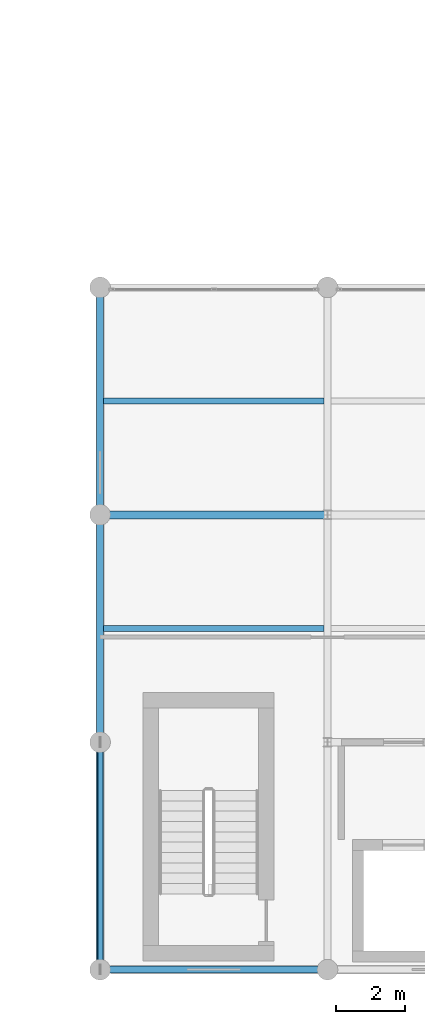
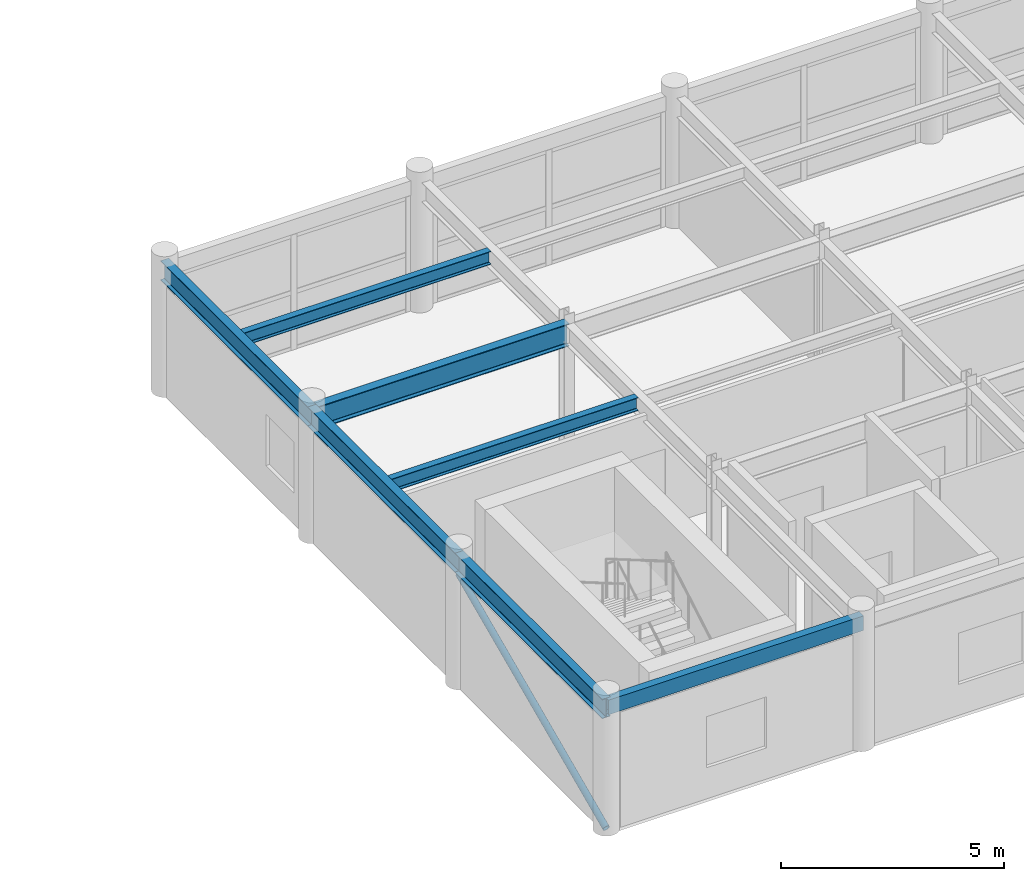
# One storey, part 4 of 28: 7 beams, 1 member.
"""IFC4 building model written with IfcOpenShell, lengths in metres."""

from ifc_helpers import new_model, si_unit, direction, frame, origin, origin_2d, place, context, subcontext, project, spatial, hollow_rectangle, hollow_circle, i_section, extrude, material, material_profile, profile_set, type_object, element, save


model = new_model("IFC4")

# Units and contexts
model_context = context("Model", 3, precision=1e-05, world=origin(), true_north=direction((0.0, 1.0)))
body_context = subcontext(model_context, "Body", "Model", "MODEL_VIEW")
ifc_project = project(units=[si_unit("LENGTHUNIT", "METRE"), si_unit("AREAUNIT", "SQUARE_METRE"), si_unit("VOLUMEUNIT", "CUBIC_METRE"), si_unit("PLANEANGLEUNIT", "RADIAN"), si_unit("MASSUNIT", "GRAM", prefix="KILO")], contexts=[model_context])

# Site, building, storey
site_placement = place(None, origin())
site = spatial("IfcSite", under=ifc_project, at=site_placement, CompositionType="ELEMENT")
building_placement = place(site_placement, origin())
building = spatial("IfcBuilding", under=site, at=building_placement, Name="Karori Crest Natural Sciences Institute", CompositionType="ELEMENT")
storey_placement = place(building_placement, frame((0.0, 0.0, 34.300048828125)))
storey = spatial("IfcBuildingStorey", under=building, at=storey_placement, Name="L08", CompositionType="ELEMENT", Elevation=34.300048828125)

# Beams
ifc_material_1 = material(Name="Structural steel AS/NZS 3679.1 Grade 350", Category="steel")
ifc_material_profile_1 = material_profile(ifc_material_1, i_section(OverallWidth=0.22900390625, OverallDepth=0.612060546875, WebThickness=0.011962890625, FlangeThickness=0.01953125, FilletRadius=0.013916015625, at=origin_2d()), Name="610UB125")
ifc_profile_set_1 = profile_set([ifc_material_profile_1], Name="Structural steel AS/NZS 3679.1 Grade 350")
beam_type_1 = type_object("IfcBeamType", Name="BT-04", PredefinedType="BEAM", material=ifc_profile_set_1)
beam_1_placement = place(storey_placement, frame((103.60009765625, 14.0, 3.263916015625), z_axis=(1.0, 0.0, 0.0), x_axis=(0.0, 1.0, 0.0)))
element("IfcBeam", 1, at=beam_1_placement, inside=storey, type_object=beam_type_1, Name="Beam B-2707", PredefinedType="BEAM", context=body_context, shape_type="SweptSolid", body=[
    extrude(i_section(OverallWidth=0.22900390625, OverallDepth=0.612060546875, WebThickness=0.011962890625, FlangeThickness=0.01953125, FilletRadius=0.013916015625, at=origin_2d()), origin(), (0.0, 0.0, 1.0), 6.599853515625),
])
ifc_material_profile_2 = material_profile(ifc_material_1, i_section(OverallWidth=0.208984375, OverallDepth=0.532958984375, WebThickness=0.01025390625, FlangeThickness=0.015625, FilletRadius=0.013916015625, at=origin_2d()), Name="530UB92.4")
ifc_profile_set_2 = profile_set([ifc_material_profile_2], Name="Structural steel AS/NZS 3679.1 Grade 350")
beam_type_2 = type_object("IfcBeamType", Name="BT-05-EL", PredefinedType="BEAM", material=ifc_profile_set_2)
beam_2_placement = place(storey_placement, frame((103.60009765625, 0.800048828125, 3.303466796875), z_axis=(0.0, 1.0, 0.0), x_axis=(-1.0, 0.0, 0.0)))
element("IfcBeam", 2, at=beam_2_placement, inside=storey, type_object=beam_type_2, Name="Beam B-2721", PredefinedType="BEAM", context=body_context, shape_type="SweptSolid", body=[
    extrude(i_section(OverallWidth=0.208984375, OverallDepth=0.532958984375, WebThickness=0.01025390625, FlangeThickness=0.015625, FilletRadius=0.013916015625, at=origin_2d()), origin(), (0.0, 0.0, 1.0), 6.599853515625),
])
for number, where, z_axis, x_axis, name in (
    (3, (103.60009765625, 7.39990234375, 3.303466796875), (0.0, 1.0, 0.0), (-1.0, 0.0, 0.0), "Beam B-2722"),
    (4, (103.60009765625, 14.0, 3.303466796875), (0.0, 1.0, 0.0), (-1.0, 0.0, 0.0), "Beam B-2723"),
):
    element("IfcBeam", number, at=place(storey_placement, frame(where, z_axis=z_axis, x_axis=x_axis)), inside=storey, type_object=beam_type_2, Name=name, PredefinedType="BEAM", context=body_context, shape_type="SweptSolid", body=[
        extrude(i_section(OverallWidth=0.208984375, OverallDepth=0.532958984375, WebThickness=0.01025390625, FlangeThickness=0.015625, FilletRadius=0.013916015625, at=origin_2d()), origin(), (0.0, 0.0, 1.0), 6.60009765625),
    ])
ifc_material_profile_3 = material_profile(ifc_material_1, i_section(OverallWidth=0.172119140625, OverallDepth=0.35888671875, WebThickness=0.008056640625, FlangeThickness=0.012939453125, FilletRadius=0.010986328125, at=origin_2d()), Name="360UB56.7")
ifc_profile_set_3 = profile_set([ifc_material_profile_3], Name="Structural steel AS/NZS 3679.1 Grade 350")
beam_type_3 = type_object("IfcBeamType", Name="BT-08", PredefinedType="BEAM", material=ifc_profile_set_3)
for number, where, z_axis, x_axis, name in (
    (5, (103.70458984375, 10.699951171875, 3.390380859375), (1.0, 0.0, 0.0), (0.0, 1.0, 0.0), "Beam B-2745"),
    (6, (103.70458984375, 17.300048828125, 3.390380859375), (1.0, 0.0, 0.0), (0.0, 1.0, 0.0), "Beam B-2746"),
):
    element("IfcBeam", number, at=place(storey_placement, frame(where, z_axis=z_axis, x_axis=x_axis)), inside=storey, type_object=beam_type_3, Name=name, PredefinedType="BEAM", context=body_context, shape_type="SweptSolid", body=[
        extrude(i_section(OverallWidth=0.172119140625, OverallDepth=0.35888671875, WebThickness=0.008056640625, FlangeThickness=0.012939453125, FilletRadius=0.010986328125, at=origin_2d()), origin(), (0.0, 0.0, 1.0), 6.390869140625),
    ])
ifc_material_2 = material(Name="Hollow structural steel AS/NZS 1163 Grade C350", Category="steel")
ifc_material_profile_4 = material_profile(ifc_material_2, hollow_rectangle(XDim=0.199951171875, YDim=0.39990234375, WallThickness=0.012451171875, at=origin_2d()), Name="RHS400x200x12.5")
ifc_profile_set_4 = profile_set([ifc_material_profile_4], Name="Hollow structural steel AS/NZS 1163 Grade C350")
beam_type_4 = type_object("IfcBeamType", Name="BT-14", PredefinedType="SPANDREL", material=ifc_profile_set_4)
beam_3_placement = place(storey_placement, frame((103.60009765625, 0.800048828125, 3.369873046875), z_axis=(1.0, 0.0, 0.0), x_axis=(0.0, 1.0, 0.0)))
element("IfcBeam", 7, at=beam_3_placement, inside=storey, type_object=beam_type_4, Name="Beam B-2695", PredefinedType="SPANDREL", context=body_context, shape_type="SweptSolid", body=[
    extrude(hollow_rectangle(XDim=0.199951171875, YDim=0.39990234375, WallThickness=0.012451171875, at=origin_2d()), origin(), (0.0, 0.0, 1.0), 6.599853515625),
])

# Member
ifc_material_profile_5 = material_profile(ifc_material_2, hollow_circle(Radius=0.084228515625, WallThickness=0.007080078125, at=origin_2d()), Name="CHS168.3x7.1")
ifc_profile_set_5 = profile_set([ifc_material_profile_5], Name="Hollow structural steel AS/NZS 1163 Grade C350")
member_type = type_object("IfcMemberType", Name="MT-03", PredefinedType="BRACE", material=ifc_profile_set_5)
member_placement = place(storey_placement, frame((103.60009765625, 0.800048828125, 0.010009765625), z_axis=(0.0, 0.912537564106, 0.408992902257), x_axis=(-1.0, 0.0, 0.0)))
element("IfcMember", 8, at=member_placement, inside=storey, type_object=member_type, Name="Diagonal Brace M-0455", PredefinedType="BRACE", context=body_context, shape_type="SweptSolid", body=[
    extrude(hollow_circle(Radius=0.084228515625, WallThickness=0.007080078125, at=origin_2d()), origin(), (0.0, 0.0, 1.0), 7.232421875),
])

save(model, "model.ifc")
